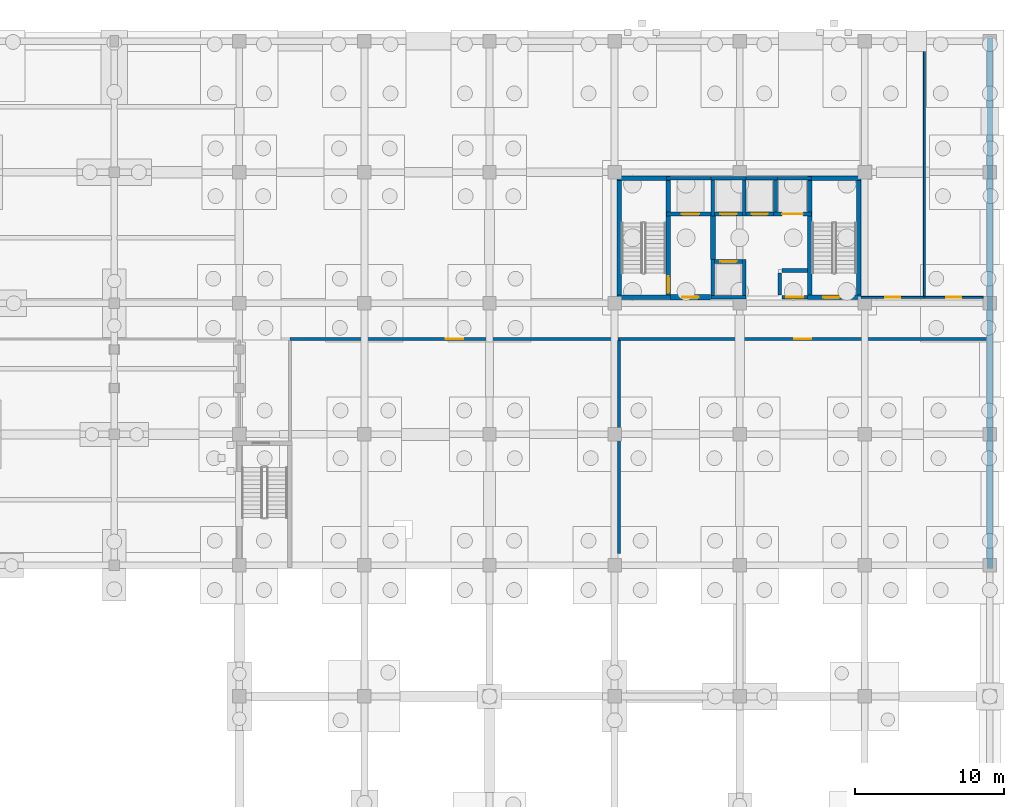
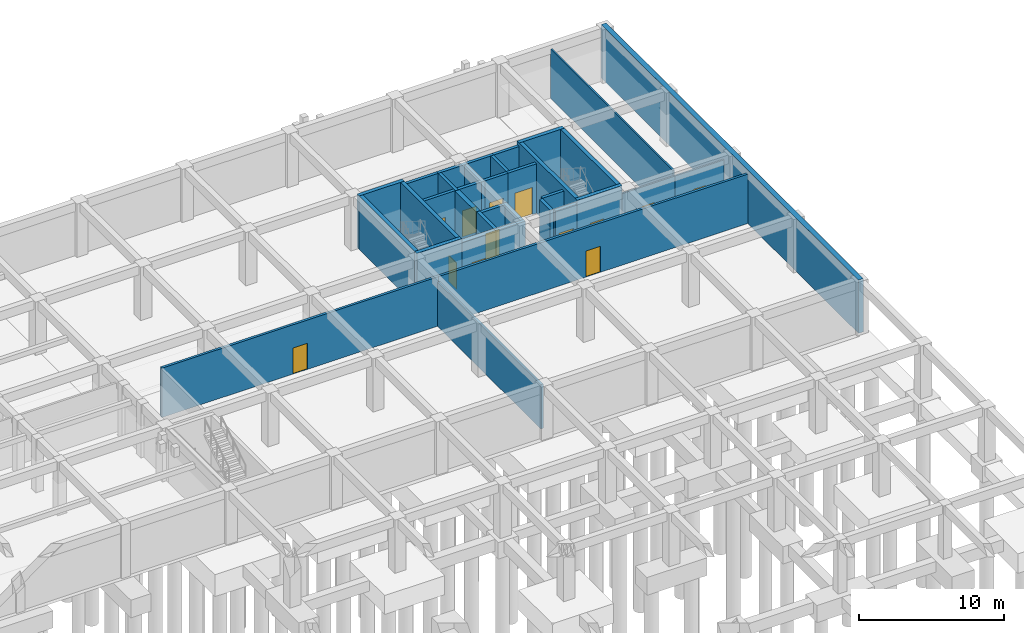
# One storey, part 29 of 41: 35 walls, 13 doors, 13 openings.
"""IFC4 building model written with IfcOpenShell, lengths in metres."""

import ifcopenshell
import ifcopenshell.guid

model = None  # the IFC model being written
_history = None  # IfcOwnerHistory: only IFC2X3 demands one
_inside = {}  # id of a spatial element -> (the spatial element, [elements in it])
_under = {}  # id of a project, library or spatial element -> (it, [spatial elements below it])
_declared = {}  # id of a project -> (the project, [libraries it declares])
_typed = {}  # id of a type object -> (the type object, [elements of that type])
_made_of = {}  # id of a material, layer set ... -> (it, [elements and type objects made of it])


def new_model(schema):
    """Start an empty IFC model of exactly this schema.

    Asked for "IFC4X3", IfcOpenShell would pick the latest addendum, in which some entities
    have other attributes; the version numbers below select the first issue.
    IFC2X3 requires an IfcOwnerHistory on every rooted entity: one is made here for all.
    """
    global model, _history
    if schema == "IFC4X3":
        model = ifcopenshell.file(schema_version=(4, 3, 0, 0))
    else:
        model = ifcopenshell.file(schema=schema)
    _inside.clear()
    _under.clear()
    _declared.clear()
    _typed.clear()
    _made_of.clear()
    _history = None
    if model.schema == "IFC2X3":
        org = make("IfcOrganization", Name="unknown")
        user = make(
            "IfcPersonAndOrganization",
            ThePerson=make("IfcPerson", FamilyName="unknown"),
            TheOrganization=org,
        )
        app = make(
            "IfcApplication",
            ApplicationDeveloper=org,
            Version="unknown",
            ApplicationFullName="unknown",
            ApplicationIdentifier="unknown",
        )
        _history = make(
            "IfcOwnerHistory",
            OwningUser=user,
            OwningApplication=app,
            ChangeAction="ADDED",
            CreationDate=0,
        )
    return model


def make(cls, **values):
    """One entity of the class cls with the attributes given. An attribute that is None is left unset."""
    return model.create_entity(
        cls, **{name: value for name, value in values.items() if value is not None}
    )


def rooted(cls, **values):
    """An entity with a GlobalId (a new one), such as an element, a storey or a relation."""
    return make(cls, GlobalId=ifcopenshell.guid.new(), OwnerHistory=_history, **values)


def si_unit(unit_type, name, prefix=None):
    """IfcSIUnit, for example si_unit("LENGTHUNIT", "METRE", prefix="MILLI")."""
    return make("IfcSIUnit", UnitType=unit_type, Prefix=prefix, Name=name)


def assignment(units):
    """IfcUnitAssignment: the units of a project."""
    return None if units is None else make("IfcUnitAssignment", Units=units)


def point(xyz):
    """IfcCartesianPoint."""
    return None if xyz is None else make("IfcCartesianPoint", Coordinates=xyz)


def direction(xyz):
    """IfcDirection."""
    return None if xyz is None else make("IfcDirection", DirectionRatios=xyz)


def frame(location, z_axis=None, x_axis=None):
    """IfcAxis2Placement3D, a coordinate frame: its origin and axes. An axis left out is left unset."""
    return make(
        "IfcAxis2Placement3D",
        Location=point(location),
        Axis=direction(z_axis),
        RefDirection=direction(x_axis),
    )


def frame_2d(location, x_axis=None):
    """IfcAxis2Placement2D, a coordinate frame in the plane: its origin and x axis."""
    return make(
        "IfcAxis2Placement2D", Location=point(location), RefDirection=direction(x_axis)
    )


def origin():
    """The frame at (0, 0, 0) with its axes left unset."""
    return frame((0.0, 0.0, 0.0))


def place(relative_to, where):
    """IfcLocalPlacement: puts the frame where relative to a parent placement (None: the world)."""
    return make(
        "IfcLocalPlacement", PlacementRelTo=relative_to, RelativePlacement=where
    )


def context(
    kind, dimensions, precision=None, world=None, true_north=None, identifier=None
):
    """IfcGeometricRepresentationContext, for example the 3D "Model" context."""
    return make(
        "IfcGeometricRepresentationContext",
        ContextIdentifier=identifier,
        ContextType=kind,
        CoordinateSpaceDimension=dimensions,
        Precision=precision,
        WorldCoordinateSystem=world,
        TrueNorth=true_north,
    )


def subcontext(parent, identifier, kind, view, scale=None):
    """IfcGeometricRepresentationSubContext, for example "Body" below "Model"."""
    return make(
        "IfcGeometricRepresentationSubContext",
        ContextIdentifier=identifier,
        ContextType=kind,
        ParentContext=parent,
        TargetScale=scale,
        TargetView=view,
    )


def project(units=None, contexts=None):
    """IfcProject with its units and contexts."""
    return rooted(
        "IfcProject",
        Name="project",
        RepresentationContexts=contexts,
        UnitsInContext=assignment(units),
    )


def spatial(cls, under=None, at=None, **own):
    """A site, building, storey or space (cls), placed at a placement, below another one or the project."""
    s = rooted(cls, ObjectPlacement=at, **own)
    if under is not None:
        _under.setdefault(under.id(), (under, []))[1].append(s)
    return s


def profile(cls, at=None, kind="AREA", **sizes):
    """A parametric profile (cls). Its sizes go by their IFC names, for example OverallWidth=200.0."""
    return make(cls, ProfileType=kind, Position=at, **sizes)


def rectangle(**sizes):
    """IfcRectangleProfileDef."""
    return profile("IfcRectangleProfileDef", **sizes)


def extrude(swept, where, along, depth):
    """IfcExtrudedAreaSolid: the profile swept, set in the frame where, extruded along a direction by depth."""
    return make(
        "IfcExtrudedAreaSolid",
        SweptArea=swept,
        Position=where,
        ExtrudedDirection=direction(along),
        Depth=depth,
    )


def shape(context_of_items, identifier, shape_type, items):
    """IfcShapeRepresentation: the items that make up one representation, for example the "Body"."""
    return make(
        "IfcShapeRepresentation",
        ContextOfItems=context_of_items,
        RepresentationIdentifier=identifier,
        RepresentationType=shape_type,
        Items=items,
    )


def material(Name=None, Category=None):
    """IfcMaterial."""
    return make("IfcMaterial", Name=Name, Category=Category)


def layer(
    of_material, thickness, ventilated=None, Name=None, Category=None, Priority=None
):
    """IfcMaterialLayer: one layer of a wall or slab, of a material (None: an air gap)."""
    return make(
        "IfcMaterialLayer",
        Material=of_material,
        LayerThickness=thickness,
        IsVentilated=ventilated,
        Name=Name,
        Category=Category,
        Priority=Priority,
    )


def layer_set(layers, Name=None):
    """IfcMaterialLayerSet."""
    return make("IfcMaterialLayerSet", MaterialLayers=layers, LayerSetName=Name)


def made_of(thing, what):
    """Note that an element or type object is made of a material, layer set ...; save() writes the relation."""
    if what is not None:
        _made_of.setdefault(what.id(), (what, []))[1].append(thing)
    return thing


def type_object(cls, material=None, **own):
    """A type object (cls), such as IfcWallType, which elements share."""
    return made_of(rooted(cls, **own), material)


def element(
    cls,
    number,
    at=None,
    inside=None,
    cuts=None,
    type_object=None,
    material=None,
    context=None,
    identifier="Body",
    shape_type=None,
    held_by="IfcProductDefinitionShape",
    body=None,
    shapes=None,
    **own,
):
    """One element of the class cls, such as IfcWall. Its Tag is "e" and its number.

    at: its placement. inside: the storey or other place that contains it. cuts: it is an
    opening in that element (IfcRelVoidsElement). A single representation is given by context,
    identifier, shape_type and body (its items); several are given by shapes. held_by: the class
    of the entity that holds the representations. save() writes the other relations.
    """
    e = rooted(cls, Tag="e%d" % number, ObjectPlacement=at, **own)
    if body is not None:
        shapes = [shape(context, identifier, shape_type, body)]
    if shapes is not None:
        e.Representation = make(held_by, Representations=shapes)
    if inside is not None:
        _inside.setdefault(inside.id(), (inside, []))[1].append(e)
    if cuts is not None:
        rooted(
            "IfcRelVoidsElement", RelatingBuildingElement=cuts, RelatedOpeningElement=e
        )
    if type_object is not None:
        _typed.setdefault(type_object.id(), (type_object, []))[1].append(e)
    return made_of(e, material)


def fill(opening, filler):
    """IfcRelFillsElement: the door or window that sits in an opening."""
    return rooted(
        "IfcRelFillsElement",
        RelatingOpeningElement=opening,
        RelatedBuildingElement=filler,
    )


def aggregate(whole, parts):
    """IfcRelAggregates: a whole, such as a stair, and the parts it consists of."""
    return rooted("IfcRelAggregates", RelatingObject=whole, RelatedObjects=parts)


def save(model, path):
    """Write the relations noted so far, then the file.

    IfcRelAggregates (storeys below a building ...), IfcRelContainedInSpatialStructure (elements
    in a storey), IfcRelDefinesByType, IfcRelAssociatesMaterial and IfcRelDeclares: one each for
    every whole, place, type object, material and project.
    """
    for whole, parts in _under.values():
        aggregate(whole, parts)
    for where, things in _inside.values():
        rooted(
            "IfcRelContainedInSpatialStructure",
            RelatedElements=things,
            RelatingStructure=where,
        )
    for kind, things in _typed.values():
        rooted("IfcRelDefinesByType", RelatedObjects=things, RelatingType=kind)
    for what, things in _made_of.values():
        rooted("IfcRelAssociatesMaterial", RelatedObjects=things, RelatingMaterial=what)
    for by, libraries in _declared.values():
        rooted("IfcRelDeclares", RelatingContext=by, RelatedDefinitions=libraries)
    model.write(path)


model = new_model("IFC4")

# Units and contexts
model_context = context("Model", 3, precision=1e-05, world=origin(), true_north=direction((0.0, 1.0)))
body_context = subcontext(model_context, "Body", "Model", "MODEL_VIEW")
ifc_project = project(units=[si_unit("LENGTHUNIT", "METRE"), si_unit("AREAUNIT", "SQUARE_METRE"), si_unit("VOLUMEUNIT", "CUBIC_METRE"), si_unit("PLANEANGLEUNIT", "RADIAN"), si_unit("MASSUNIT", "GRAM", prefix="KILO")], contexts=[model_context])

# Site, building, storey
site_placement = place(None, origin())
site = spatial("IfcSite", under=ifc_project, at=site_placement, CompositionType="ELEMENT")
building_placement = place(site_placement, origin())
building = spatial("IfcBuilding", under=site, at=building_placement, Name="Kemercrest Conservatory and Botanical Centre", CompositionType="ELEMENT")
storey_placement = place(building_placement, frame((0.0, 0.0, -4.5)))
storey = spatial("IfcBuildingStorey", under=building, at=storey_placement, Name="B1", CompositionType="ELEMENT", Elevation=-4.5)

# Wall
ifc_material_1 = material(Name="Concrete C50/60", Category="concrete")
ifc_layer_1 = layer(ifc_material_1, 0.35009765625)
ifc_layer_set_1 = layer_set([ifc_layer_1], Name="Concrete C50/60")
wall_type_1 = type_object("IfcWallType", Name="CW-CORE", PredefinedType="SHEAR", material=ifc_layer_set_1)
wall_1_placement = place(storey_placement, frame((157.39990234375, 107.75, 0.0), z_axis=(0.0, 0.0, 1.0), x_axis=(0.0, 1.0, 0.0)))
element("IfcWall", 1, at=wall_1_placement, inside=storey, type_object=wall_type_1, Name="Firefighting lift lobby 2-hour separation shear wall", PredefinedType="SHEAR", context=body_context, shape_type="SweptSolid", body=[
    extrude(rectangle(XDim=2.89990234375, YDim=0.35009765625, at=frame_2d((1.449951171875, 0.0))), origin(), (0.0, 0.0, 1.0), 4.179931640625),
])

# Wall, opening, door
wall_2_placement = place(storey_placement, frame((154.550048828125, 105.199951171875, 0.0), z_axis=(0.0, 0.0, 1.0), x_axis=(1.0, 0.0, 0.0)))
wall_2 = element("IfcWall", 2, at=wall_2_placement, inside=storey, type_object=wall_type_1, Name="Firefighting lift lobby south shear wall", PredefinedType="SHEAR", context=body_context, shape_type="SweptSolid", body=[
    extrude(rectangle(XDim=2.699951171875, YDim=0.35009765625, at=frame_2d((1.35009765625, 0.0))), origin(), (0.0, 0.0, 1.0), 4.179931640625),
])
opening_1_placement = place(wall_2_placement, frame((0.800048828125, 0.0, 0.0)))
opening_1 = element("IfcOpeningElement", 3, at=opening_1_placement, cuts=wall_2, Name="Opening D067", PredefinedType="OPENING", context=body_context, shape_type="SweptSolid", body=[
    extrude(rectangle(XDim=1.10009765625, YDim=2.199951171875, at=frame_2d((0.550048828125, 1.10009765625))), frame((0.0, 0.18505859375, 0.0), z_axis=(0.0, -1.0, 0.0), x_axis=(1.0, 0.0, 0.0)), (0.0, 0.0, 1.0), 0.3701171875),
])
ifc_material_2 = material(Name="Powder-coated galvanized steel and fire-rated vision glass", Category="steel")
door_type_1 = type_object("IfcDoorType", Name="DT-FD90", OperationType="NOTDEFINED", PredefinedType="DOOR", material=ifc_material_2)
door_1_placement = place(opening_1_placement, origin())
door_1 = element("IfcDoor", 4, at=door_1_placement, inside=storey, type_object=door_type_1, Name="Firefighting lift lobby corridor fire door D067", OperationType="SINGLE_SWING_LEFT", OverallHeight=2.199951171875, OverallWidth=1.10009765625, PredefinedType="DOOR", context=body_context, shape_type="SweptSolid", body=[
    extrude(rectangle(XDim=1.10009765625, YDim=2.199951171875, at=frame_2d((0.550048828125, 1.10009765625))), frame((0.0, 0.02490234375, 0.0), z_axis=(0.0, -1.0, 0.0), x_axis=(1.0, 0.0, 0.0)), (0.0, 0.0, 1.0), 0.050048828125),
])
fill(opening_1, door_1)

# Walls
ifc_layer_2 = layer(ifc_material_1, 0.300048828125)
ifc_layer_set_2 = layer_set([ifc_layer_2], Name="Concrete C50/60")
wall_type_2 = type_object("IfcWallType", Name="CW-STAIR", PredefinedType="SHEAR", material=ifc_layer_set_2)
for number, where, z_axis, x_axis, name in (
    (5, (150.949951171875, 105.199951171875, 0.0), (0.0, 0.0, 1.0), (1.0, 0.0, 0.0), "Stair core ST-V4A shear wall S"),
    (6, (150.949951171875, 113.199951171875, 0.0), (0.0, 0.0, 1.0), (1.0, 0.0, 0.0), "Stair core ST-V4A shear wall N"),
):
    element("IfcWall", number, at=place(storey_placement, frame(where, z_axis=z_axis, x_axis=x_axis)), inside=storey, type_object=wall_type_2, Name=name, PredefinedType="SHEAR", context=body_context, shape_type="SweptSolid", body=[
        extrude(rectangle(XDim=3.60009765625, YDim=0.300048828125, at=frame_2d((1.800048828125, 0.0))), origin(), (0.0, 0.0, 1.0), 4.5),
    ])
wall_3_placement = place(storey_placement, frame((151.10009765625, 105.050048828125, 0.0), z_axis=(0.0, 0.0, 1.0), x_axis=(0.0, 1.0, 0.0)))
element("IfcWall", 7, at=wall_3_placement, inside=storey, type_object=wall_type_2, Name="Stair core ST-V4A shear wall W", PredefinedType="SHEAR", context=body_context, shape_type="SweptSolid", body=[
    extrude(rectangle(XDim=8.300048828125, YDim=0.300048828125, at=frame_2d((4.14990234375, 0.0))), origin(), (0.0, 0.0, 1.0), 4.5),
])

# Wall, opening, door
wall_4_placement = place(storey_placement, frame((154.39990234375, 105.050048828125, 0.0), z_axis=(0.0, 0.0, 1.0), x_axis=(0.0, 1.0, 0.0)))
wall_4 = element("IfcWall", 8, at=wall_4_placement, inside=storey, type_object=wall_type_2, Name="Stair core ST-V4A shear wall E", PredefinedType="SHEAR", context=body_context, shape_type="SweptSolid", body=[
    extrude(rectangle(XDim=8.300048828125, YDim=0.300048828125, at=frame_2d((4.14990234375, 0.0))), origin(), (0.0, 0.0, 1.0), 4.5),
])
opening_2_placement = place(wall_4_placement, frame((0.449951171875, 0.0, 0.0)))
opening_2 = element("IfcOpeningElement", 9, at=opening_2_placement, cuts=wall_4, Name="Opening D025", PredefinedType="OPENING", context=body_context, shape_type="SweptSolid", body=[
    extrude(rectangle(XDim=1.10009765625, YDim=2.199951171875, at=frame_2d((0.550048828125, 1.10009765625))), frame((0.0, 0.16015625, 0.0), z_axis=(0.0, -1.0, 0.0), x_axis=(1.0, 0.0, 0.0)), (0.0, 0.0, 1.0), 0.320068359375),
])
door_2_placement = place(opening_2_placement, frame((1.10009765625, 0.0, 0.0), z_axis=(0.0, 0.0, 1.0), x_axis=(-1.0, 0.0, 0.0)))
door_2 = element("IfcDoor", 10, at=door_2_placement, inside=storey, type_object=door_type_1, Name="Exit stair ST-V4A fire door D025", OperationType="SINGLE_SWING_LEFT", OverallHeight=2.199951171875, OverallWidth=1.10009765625, PredefinedType="DOOR", context=body_context, shape_type="SweptSolid", body=[
    extrude(rectangle(XDim=1.10009765625, YDim=2.199951171875, at=frame_2d((0.550048828125, 1.10009765625))), frame((0.0, 0.02490234375, 0.0), z_axis=(0.0, -1.0, 0.0), x_axis=(1.0, 0.0, 0.0)), (0.0, 0.0, 1.0), 0.050048828125),
])
fill(opening_2, door_2)

wall_5_placement = place(storey_placement, frame((163.75, 105.199951171875, 0.0), z_axis=(0.0, 0.0, 1.0), x_axis=(1.0, 0.0, 0.0)))
wall_5 = element("IfcWall", 11, at=wall_5_placement, inside=storey, type_object=wall_type_2, Name="Stair core ST-V4B shear wall S", PredefinedType="SHEAR", context=body_context, shape_type="SweptSolid", body=[
    extrude(rectangle(XDim=3.60009765625, YDim=0.300048828125, at=frame_2d((1.800048828125, 0.0))), origin(), (0.0, 0.0, 1.0), 4.5),
])
opening_3_placement = place(wall_5_placement, frame((1.050048828125, 0.0, 0.0)))
opening_3 = element("IfcOpeningElement", 12, at=opening_3_placement, cuts=wall_5, Name="Opening D044", PredefinedType="OPENING", context=body_context, shape_type="SweptSolid", body=[
    extrude(rectangle(XDim=1.10009765625, YDim=2.199951171875, at=frame_2d((0.550048828125, 1.10009765625))), frame((0.0, 0.16015625, 0.0), z_axis=(0.0, -1.0, 0.0), x_axis=(1.0, 0.0, 0.0)), (0.0, 0.0, 1.0), 0.320068359375),
])
door_3_placement = place(opening_3_placement, origin())
door_3 = element("IfcDoor", 13, at=door_3_placement, inside=storey, type_object=door_type_1, Name="Exit stair ST-V4B fire door D044", OperationType="SINGLE_SWING_RIGHT", OverallHeight=2.199951171875, OverallWidth=1.10009765625, PredefinedType="DOOR", context=body_context, shape_type="SweptSolid", body=[
    extrude(rectangle(XDim=1.10009765625, YDim=2.199951171875, at=frame_2d((0.550048828125, 1.10009765625))), frame((0.0, 0.02490234375, 0.0), z_axis=(0.0, -1.0, 0.0), x_axis=(1.0, 0.0, 0.0)), (0.0, 0.0, 1.0), 0.050048828125),
])
fill(opening_3, door_3)

# Walls
wall_6_placement = place(storey_placement, frame((163.75, 113.199951171875, 0.0), z_axis=(0.0, 0.0, 1.0), x_axis=(1.0, 0.0, 0.0)))
element("IfcWall", 14, at=wall_6_placement, inside=storey, type_object=wall_type_2, Name="Stair core ST-V4B shear wall N", PredefinedType="SHEAR", context=body_context, shape_type="SweptSolid", body=[
    extrude(rectangle(XDim=3.60009765625, YDim=0.300048828125, at=frame_2d((1.800048828125, 0.0))), origin(), (0.0, 0.0, 1.0), 4.5),
])
for number, where, z_axis, x_axis, name in (
    (15, (163.89990234375, 105.050048828125, 0.0), (0.0, 0.0, 1.0), (0.0, 1.0, 0.0), "Stair core ST-V4B shear wall W"),
    (16, (167.199951171875, 105.050048828125, 0.0), (0.0, 0.0, 1.0), (0.0, 1.0, 0.0), "Stair core ST-V4B shear wall E"),
):
    element("IfcWall", number, at=place(storey_placement, frame(where, z_axis=z_axis, x_axis=x_axis)), inside=storey, type_object=wall_type_2, Name=name, PredefinedType="SHEAR", context=body_context, shape_type="SweptSolid", body=[
        extrude(rectangle(XDim=8.300048828125, YDim=0.300048828125, at=frame_2d((4.14990234375, 0.0))), origin(), (0.0, 0.0, 1.0), 4.5),
    ])

# Wall, opening, door
ifc_material_3 = material(Name="Concrete C40/50", Category="concrete")
ifc_layer_3 = layer(ifc_material_3, 0.199951171875)
ifc_layer_set_3 = layer_set([ifc_layer_3], Name="Concrete C40/50")
wall_type_3 = type_object("IfcWallType", Name="W-FIRE", PredefinedType="PARTITIONING", material=ifc_layer_set_3)
wall_7_placement = place(storey_placement, frame((129.0, 102.39990234375, 0.0), z_axis=(0.0, 0.0, 1.0), x_axis=(1.0, 0.0, 0.0)))
wall_7 = element("IfcWall", 17, at=wall_7_placement, inside=storey, type_object=wall_type_3, Name="Interior partition W-FIRE #6", PredefinedType="PARTITIONING", context=body_context, shape_type="SweptSolid", body=[
    extrude(rectangle(XDim=22.10009765625, YDim=0.199951171875, at=frame_2d((11.050048828125, 0.0))), origin(), (0.0, 0.0, 1.0), 4.1650390625),
])
opening_4_placement = place(wall_7_placement, frame((10.47509765625, 0.0, 0.0)))
opening_4 = element("IfcOpeningElement", 18, at=opening_4_placement, cuts=wall_7, Name="Opening D110", PredefinedType="OPENING", context=body_context, shape_type="SweptSolid", body=[
    extrude(rectangle(XDim=1.14990234375, YDim=2.199951171875, at=frame_2d((0.574951171875, 1.10009765625))), frame((0.0, 0.10986328125, 0.0), z_axis=(0.0, -1.0, 0.0), x_axis=(1.0, 0.0, 0.0)), (0.0, 0.0, 1.0), 0.219970703125),
])
door_type_2 = type_object("IfcDoorType", Name="DT-FD60", OperationType="NOTDEFINED", PredefinedType="DOOR", material=ifc_material_2)
door_4_placement = place(opening_4_placement, origin())
door_4 = element("IfcDoor", 19, at=door_4_placement, inside=storey, type_object=door_type_2, Name="Standby Diesel Generator and Switchgear Plant door D110", OperationType="SINGLE_SWING_RIGHT", OverallHeight=2.199951171875, OverallWidth=1.14990234375, PredefinedType="DOOR", context=body_context, shape_type="SweptSolid", body=[
    extrude(rectangle(XDim=1.14990234375, YDim=2.199951171875, at=frame_2d((0.574951171875, 1.10009765625))), frame((0.0, 0.02490234375, 0.0), z_axis=(0.0, -1.0, 0.0), x_axis=(1.0, 0.0, 0.0)), (0.0, 0.0, 1.0), 0.050048828125),
])
fill(opening_4, door_4)

wall_8_placement = place(storey_placement, frame((151.10009765625, 102.39990234375, 0.0), z_axis=(0.0, 0.0, 1.0), x_axis=(1.0, 0.0, 0.0)))
wall_8 = element("IfcWall", 20, at=wall_8_placement, inside=storey, type_object=wall_type_3, Name="Interior partition W-FIRE #7", PredefinedType="PARTITIONING", context=body_context, shape_type="SweptSolid", body=[
    extrude(rectangle(XDim=24.69482421875, YDim=0.199951171875, at=frame_2d((12.347412109375, 0.0))), origin(), (0.0, 0.0, 1.0), 4.1650390625),
])
opening_5_placement = place(wall_8_placement, frame((11.7724609375, 0.0, 0.0)))
opening_5 = element("IfcOpeningElement", 21, at=opening_5_placement, cuts=wall_8, Name="Opening D111", PredefinedType="OPENING", context=body_context, shape_type="SweptSolid", body=[
    extrude(rectangle(XDim=1.14990234375, YDim=2.199951171875, at=frame_2d((0.574951171875, 1.10009765625))), frame((0.0, 0.10986328125, 0.0), z_axis=(0.0, -1.0, 0.0), x_axis=(1.0, 0.0, 0.0)), (0.0, 0.0, 1.0), 0.219970703125),
])
door_5_placement = place(opening_5_placement, origin())
door_5 = element("IfcDoor", 22, at=door_5_placement, inside=storey, type_object=door_type_2, Name="Fire Reserve Tank and Pump Room door D111", OperationType="SINGLE_SWING_LEFT", OverallHeight=2.199951171875, OverallWidth=1.14990234375, PredefinedType="DOOR", context=body_context, shape_type="SweptSolid", body=[
    extrude(rectangle(XDim=1.14990234375, YDim=2.199951171875, at=frame_2d((0.574951171875, 1.10009765625))), frame((0.0, 0.02490234375, 0.0), z_axis=(0.0, -1.0, 0.0), x_axis=(1.0, 0.0, 0.0)), (0.0, 0.0, 1.0), 0.050048828125),
])
fill(opening_5, door_5)

# Wall
wall_9_placement = place(storey_placement, frame((151.10009765625, 88.0, 0.0), z_axis=(0.0, 0.0, 1.0), x_axis=(0.0, 1.0, 0.0)))
element("IfcWall", 23, at=wall_9_placement, inside=storey, type_object=wall_type_3, Name="Interior partition W-FIRE #14", PredefinedType="PARTITIONING", context=body_context, shape_type="SweptSolid", body=[
    extrude(rectangle(XDim=14.294921875, YDim=0.199951171875, at=frame_2d((7.1474609375, 0.0))), origin(), (0.0, 0.0, 1.0), 3.7451171875),
])

# Wall, opening, door
ifc_material_4 = material(Name="Moisture-resistant gypsum board partition", Category="gypsum")
ifc_layer_4 = layer(ifc_material_4, 0.125)
ifc_layer_set_4 = layer_set([ifc_layer_4], Name="Moisture-resistant gypsum board partition")
wall_type_4 = type_object("IfcWallType", Name="W-PART125", PredefinedType="PARTITIONING", material=ifc_layer_set_4)
wall_10_placement = place(storey_placement, frame((167.35498046875, 105.199951171875, 0.0), z_axis=(0.0, 0.0, 1.0), x_axis=(1.0, 0.0, 0.0)))
wall_10 = element("IfcWall", 24, at=wall_10_placement, inside=storey, type_object=wall_type_4, Name="Interior partition W-PART125 #8", PredefinedType="PARTITIONING", context=body_context, shape_type="SweptSolid", body=[
    extrude(rectangle(XDim=4.2451171875, YDim=0.125, at=frame_2d((2.12255859375, 0.0))), origin(), (0.0, 0.0, 1.0), 3.7451171875),
])
opening_6_placement = place(wall_10_placement, frame((1.632568359375, 0.0, 0.0)))
opening_6 = element("IfcOpeningElement", 25, at=opening_6_placement, cuts=wall_10, Name="Opening D112", PredefinedType="OPENING", context=body_context, shape_type="SweptSolid", body=[
    extrude(rectangle(XDim=0.97998046875, YDim=2.10009765625, at=frame_2d((0.489990234375, 1.050048828125))), frame((0.0, 0.072509765625, 0.0), z_axis=(0.0, -1.0, 0.0), x_axis=(1.0, 0.0, 0.0)), (0.0, 0.0, 1.0), 0.14501953125),
])
ifc_material_5 = material(Name="FSC solid-core white oak veneer and anodized aluminium frame", Category="aluminium")
door_type_3 = type_object("IfcDoorType", Name="DT-02", OperationType="NOTDEFINED", PredefinedType="DOOR", material=ifc_material_5)
door_6_placement = place(opening_6_placement, origin())
door_6 = element("IfcDoor", 26, at=door_6_placement, inside=storey, type_object=door_type_3, Name="Basement Staff Washroom door D112", OperationType="SINGLE_SWING_RIGHT", OverallHeight=2.10009765625, OverallWidth=0.97998046875, PredefinedType="DOOR", context=body_context, shape_type="SweptSolid", body=[
    extrude(rectangle(XDim=0.97998046875, YDim=2.10009765625, at=frame_2d((0.489990234375, 1.050048828125))), frame((0.0, 0.02490234375, 0.0), z_axis=(0.0, -1.0, 0.0), x_axis=(1.0, 0.0, 0.0)), (0.0, 0.0, 1.0), 0.050048828125),
])
fill(opening_6, door_6)

wall_11_placement = place(storey_placement, frame((171.60009765625, 105.199951171875, 0.0), z_axis=(0.0, 0.0, 1.0), x_axis=(1.0, 0.0, 0.0)))
wall_11 = element("IfcWall", 27, at=wall_11_placement, inside=storey, type_object=wall_type_4, Name="Interior partition W-PART125 #9", PredefinedType="PARTITIONING", context=body_context, shape_type="SweptSolid", body=[
    extrude(rectangle(XDim=3.949951171875, YDim=0.125, at=frame_2d((1.97509765625, 0.0))), origin(), (0.0, 0.0, 1.0), 3.7451171875),
])
opening_7_placement = place(wall_11_placement, frame((1.485107421875, 0.0, 0.0)))
opening_7 = element("IfcOpeningElement", 28, at=opening_7_placement, cuts=wall_11, Name="Opening D113", PredefinedType="OPENING", context=body_context, shape_type="SweptSolid", body=[
    extrude(rectangle(XDim=0.97998046875, YDim=2.10009765625, at=frame_2d((0.489990234375, 1.050048828125))), frame((0.0, 0.072509765625, 0.0), z_axis=(0.0, -1.0, 0.0), x_axis=(1.0, 0.0, 0.0)), (0.0, 0.0, 1.0), 0.14501953125),
])
door_7_placement = place(opening_7_placement, origin())
door_7 = element("IfcDoor", 29, at=door_7_placement, inside=storey, type_object=door_type_3, Name="Basement Accessible Washroom door D113", OperationType="SINGLE_SWING_LEFT", OverallHeight=2.10009765625, OverallWidth=0.97998046875, PredefinedType="DOOR", context=body_context, shape_type="SweptSolid", body=[
    extrude(rectangle(XDim=0.97998046875, YDim=2.10009765625, at=frame_2d((0.489990234375, 1.050048828125))), frame((0.0, 0.02490234375, 0.0), z_axis=(0.0, -1.0, 0.0), x_axis=(1.0, 0.0, 0.0)), (0.0, 0.0, 1.0), 0.050048828125),
])
fill(opening_7, door_7)

# Walls
wall_12_placement = place(storey_placement, frame((171.60009765625, 105.267578125, 0.0), z_axis=(0.0, 0.0, 1.0), x_axis=(0.0, 1.0, 0.0)))
element("IfcWall", 30, at=wall_12_placement, inside=storey, type_object=wall_type_4, Name="Interior partition W-PART125 #15", PredefinedType="PARTITIONING", context=body_context, shape_type="SweptSolid", body=[
    extrude(rectangle(XDim=16.927490234375, YDim=0.125, at=frame_2d((8.4638671875, 0.0))), origin(), (0.0, 0.0, 1.0), 4.1650390625),
])
ifc_layer_5 = layer(ifc_material_3, 0.39990234375)
ifc_layer_set_5 = layer_set([ifc_layer_5], Name="Concrete C40/50")
wall_type_5 = type_object("IfcWallType", Name="W-RET400", PredefinedType="USERDEFINED", material=ifc_layer_set_5)
wall_13_placement = place(storey_placement, frame((176.0, 87.0, 0.0), z_axis=(0.0, 0.0, 1.0), x_axis=(0.0, 1.0, 0.0)))
element("IfcWall", 31, at=wall_13_placement, inside=storey, type_object=wall_type_5, Name="Basement perimeter retaining wall #12", ObjectType="RETAINING WALL", PredefinedType="USERDEFINED", context=body_context, shape_type="SweptSolid", body=[
    extrude(rectangle(XDim=35.60009765625, YDim=0.39990234375, at=frame_2d((17.800048828125, 0.0))), origin(), (0.0, 0.0, 1.0), 4.5),
])

# Wall, opening, door
ifc_layer_6 = layer(ifc_material_3, 0.25)
ifc_layer_set_6 = layer_set([ifc_layer_6], Name="Concrete C40/50")
wall_type_6 = type_object("IfcWallType", Name="W-SHFT250", PredefinedType="SOLIDWALL", material=ifc_layer_set_6)
wall_14_placement = place(storey_placement, frame((154.27490234375, 110.800048828125, 0.0), z_axis=(0.0, 0.0, 1.0), x_axis=(1.0, 0.0, 0.0)))
wall_14 = element("IfcWall", 32, at=wall_14_placement, inside=storey, type_object=wall_type_6, Name="Elevator LF-FF1 shaft wall south", PredefinedType="SOLIDWALL", context=body_context, shape_type="SweptSolid", body=[
    extrude(rectangle(XDim=3.25, YDim=0.25, at=frame_2d((1.625, 0.0))), origin(), (0.0, 0.0, 1.0), 4.179931640625),
])
opening_8_placement = place(wall_14_placement, frame((1.02490234375, 0.0, 0.0)))
opening_8 = element("IfcOpeningElement", 33, at=opening_8_placement, cuts=wall_14, Name="Opening LD-001", PredefinedType="OPENING", context=body_context, shape_type="SweptSolid", body=[
    extrude(rectangle(XDim=1.199951171875, YDim=2.199951171875, at=frame_2d((0.60009765625, 1.10009765625))), frame((0.0, 0.135009765625, 0.0), z_axis=(0.0, -1.0, 0.0), x_axis=(1.0, 0.0, 0.0)), (0.0, 0.0, 1.0), 0.27001953125),
])
door_type_4 = type_object("IfcDoorType", Name="DT-LD02", OperationType="SLIDING_TO_LEFT", PredefinedType="DOOR", material=ifc_material_2)
door_8_placement = place(opening_8_placement, origin())
door_8 = element("IfcDoor", 34, at=door_8_placement, inside=storey, type_object=door_type_4, Name="Elevator LF-FF1 sliding landing door LD-001", OperationType="SLIDING_TO_LEFT", OverallHeight=2.199951171875, OverallWidth=1.199951171875, PredefinedType="DOOR", context=body_context, shape_type="SweptSolid", body=[
    extrude(rectangle(XDim=1.199951171875, YDim=2.199951171875, at=frame_2d((0.60009765625, 1.10009765625))), frame((0.0, 0.02490234375, 0.0), z_axis=(0.0, -1.0, 0.0), x_axis=(1.0, 0.0, 0.0)), (0.0, 0.0, 1.0), 0.050048828125),
])
fill(opening_8, door_8)

# Walls
wall_15_placement = place(storey_placement, frame((154.27490234375, 113.199951171875, 0.0), z_axis=(0.0, 0.0, 1.0), x_axis=(1.0, 0.0, 0.0)))
element("IfcWall", 35, at=wall_15_placement, inside=storey, type_object=wall_type_6, Name="Elevator LF-FF1 shaft wall north", PredefinedType="SOLIDWALL", context=body_context, shape_type="SweptSolid", body=[
    extrude(rectangle(XDim=3.25, YDim=0.25, at=frame_2d((1.625, 0.0))), origin(), (0.0, 0.0, 1.0), 4.179931640625),
])
wall_16_placement = place(storey_placement, frame((157.39990234375, 110.675048828125, 0.0), z_axis=(0.0, 0.0, 1.0), x_axis=(0.0, 1.0, 0.0)))
element("IfcWall", 36, at=wall_16_placement, inside=storey, type_object=wall_type_6, Name="Elevator LF-FF1 shaft wall east", PredefinedType="SOLIDWALL", context=body_context, shape_type="SweptSolid", body=[
    extrude(rectangle(XDim=2.64990234375, YDim=0.25, at=frame_2d((1.324951171875, 0.0))), origin(), (0.0, 0.0, 1.0), 4.179931640625),
])

# Wall, opening, door
wall_17_placement = place(storey_placement, frame((157.27490234375, 110.800048828125, 0.0), z_axis=(0.0, 0.0, 1.0), x_axis=(1.0, 0.0, 0.0)))
wall_17 = element("IfcWall", 37, at=wall_17_placement, inside=storey, type_object=wall_type_6, Name="Elevator LF-P1 shaft wall south", PredefinedType="SOLIDWALL", context=body_context, shape_type="SweptSolid", body=[
    extrude(rectangle(XDim=2.35009765625, YDim=0.25, at=frame_2d((1.175048828125, 0.0))), origin(), (0.0, 0.0, 1.0), 4.179931640625),
])
opening_9_placement = place(wall_17_placement, frame((0.625, 0.0, 0.0)))
opening_9 = element("IfcOpeningElement", 38, at=opening_9_placement, cuts=wall_17, Name="Opening LD-020", PredefinedType="OPENING", context=body_context, shape_type="SweptSolid", body=[
    extrude(rectangle(XDim=1.10009765625, YDim=2.199951171875, at=frame_2d((0.550048828125, 1.10009765625))), frame((0.0, 0.135009765625, 0.0), z_axis=(0.0, -1.0, 0.0), x_axis=(1.0, 0.0, 0.0)), (0.0, 0.0, 1.0), 0.27001953125),
])
door_type_5 = type_object("IfcDoorType", Name="DT-LD01", OperationType="SLIDING_TO_LEFT", PredefinedType="DOOR", material=ifc_material_2)
door_9_placement = place(opening_9_placement, origin())
door_9 = element("IfcDoor", 39, at=door_9_placement, inside=storey, type_object=door_type_5, Name="Elevator LF-P1 sliding landing door LD-020", OperationType="SLIDING_TO_LEFT", OverallHeight=2.199951171875, OverallWidth=1.10009765625, PredefinedType="DOOR", context=body_context, shape_type="SweptSolid", body=[
    extrude(rectangle(XDim=1.10009765625, YDim=2.199951171875, at=frame_2d((0.550048828125, 1.10009765625))), frame((0.0, 0.02490234375, 0.0), z_axis=(0.0, -1.0, 0.0), x_axis=(1.0, 0.0, 0.0)), (0.0, 0.0, 1.0), 0.050048828125),
])
fill(opening_9, door_9)

# Walls
wall_18_placement = place(storey_placement, frame((157.27490234375, 113.199951171875, 0.0), z_axis=(0.0, 0.0, 1.0), x_axis=(1.0, 0.0, 0.0)))
element("IfcWall", 40, at=wall_18_placement, inside=storey, type_object=wall_type_6, Name="Elevator LF-P1 shaft wall north", PredefinedType="SOLIDWALL", context=body_context, shape_type="SweptSolid", body=[
    extrude(rectangle(XDim=2.35009765625, YDim=0.25, at=frame_2d((1.175048828125, 0.0))), origin(), (0.0, 0.0, 1.0), 4.179931640625),
])
wall_19_placement = place(storey_placement, frame((159.5, 110.675048828125, 0.0), z_axis=(0.0, 0.0, 1.0), x_axis=(0.0, 1.0, 0.0)))
element("IfcWall", 41, at=wall_19_placement, inside=storey, type_object=wall_type_6, Name="Elevator LF-P1 shaft wall east", PredefinedType="SOLIDWALL", context=body_context, shape_type="SweptSolid", body=[
    extrude(rectangle(XDim=2.64990234375, YDim=0.25, at=frame_2d((1.324951171875, 0.0))), origin(), (0.0, 0.0, 1.0), 4.179931640625),
])

# Wall, opening, door
wall_20_placement = place(storey_placement, frame((159.375, 110.800048828125, 0.0), z_axis=(0.0, 0.0, 1.0), x_axis=(1.0, 0.0, 0.0)))
wall_20 = element("IfcWall", 42, at=wall_20_placement, inside=storey, type_object=wall_type_6, Name="Elevator LF-P2 shaft wall south", PredefinedType="SOLIDWALL", context=body_context, shape_type="SweptSolid", body=[
    extrude(rectangle(XDim=2.35009765625, YDim=0.25, at=frame_2d((1.175048828125, 0.0))), origin(), (0.0, 0.0, 1.0), 4.179931640625),
])
opening_10_placement = place(wall_20_placement, frame((0.625, 0.0, 0.0)))
opening_10 = element("IfcOpeningElement", 43, at=opening_10_placement, cuts=wall_20, Name="Opening LD-039", PredefinedType="OPENING", context=body_context, shape_type="SweptSolid", body=[
    extrude(rectangle(XDim=1.10009765625, YDim=2.199951171875, at=frame_2d((0.550048828125, 1.10009765625))), frame((0.0, 0.135009765625, 0.0), z_axis=(0.0, -1.0, 0.0), x_axis=(1.0, 0.0, 0.0)), (0.0, 0.0, 1.0), 0.27001953125),
])
door_10_placement = place(opening_10_placement, origin())
door_10 = element("IfcDoor", 44, at=door_10_placement, inside=storey, type_object=door_type_5, Name="Elevator LF-P2 sliding landing door LD-039", OperationType="SLIDING_TO_LEFT", OverallHeight=2.199951171875, OverallWidth=1.10009765625, PredefinedType="DOOR", context=body_context, shape_type="SweptSolid", body=[
    extrude(rectangle(XDim=1.10009765625, YDim=2.199951171875, at=frame_2d((0.550048828125, 1.10009765625))), frame((0.0, 0.02490234375, 0.0), z_axis=(0.0, -1.0, 0.0), x_axis=(1.0, 0.0, 0.0)), (0.0, 0.0, 1.0), 0.050048828125),
])
fill(opening_10, door_10)

# Walls
wall_21_placement = place(storey_placement, frame((159.375, 113.199951171875, 0.0), z_axis=(0.0, 0.0, 1.0), x_axis=(1.0, 0.0, 0.0)))
element("IfcWall", 45, at=wall_21_placement, inside=storey, type_object=wall_type_6, Name="Elevator LF-P2 shaft wall north", PredefinedType="SOLIDWALL", context=body_context, shape_type="SweptSolid", body=[
    extrude(rectangle(XDim=2.35009765625, YDim=0.25, at=frame_2d((1.175048828125, 0.0))), origin(), (0.0, 0.0, 1.0), 4.179931640625),
])
wall_22_placement = place(storey_placement, frame((161.60009765625, 110.675048828125, 0.0), z_axis=(0.0, 0.0, 1.0), x_axis=(0.0, 1.0, 0.0)))
element("IfcWall", 46, at=wall_22_placement, inside=storey, type_object=wall_type_6, Name="Elevator LF-P2 shaft wall east", PredefinedType="SOLIDWALL", context=body_context, shape_type="SweptSolid", body=[
    extrude(rectangle(XDim=2.64990234375, YDim=0.25, at=frame_2d((1.324951171875, 0.0))), origin(), (0.0, 0.0, 1.0), 4.179931640625),
])
wall_23_placement = place(storey_placement, frame((157.27490234375, 105.199951171875, 0.0), z_axis=(0.0, 0.0, 1.0), x_axis=(1.0, 0.0, 0.0)))
element("IfcWall", 47, at=wall_23_placement, inside=storey, type_object=wall_type_6, Name="Elevator LF-P3 shaft wall south", PredefinedType="SOLIDWALL", context=body_context, shape_type="SweptSolid", body=[
    extrude(rectangle(XDim=2.35009765625, YDim=0.25, at=frame_2d((1.175048828125, 0.0))), origin(), (0.0, 0.0, 1.0), 4.179931640625),
])

# Wall, opening, door
wall_24_placement = place(storey_placement, frame((157.27490234375, 107.60009765625, 0.0), z_axis=(0.0, 0.0, 1.0), x_axis=(1.0, 0.0, 0.0)))
wall_24 = element("IfcWall", 48, at=wall_24_placement, inside=storey, type_object=wall_type_6, Name="Elevator LF-P3 shaft wall north", PredefinedType="SOLIDWALL", context=body_context, shape_type="SweptSolid", body=[
    extrude(rectangle(XDim=2.35009765625, YDim=0.25, at=frame_2d((1.175048828125, 0.0))), origin(), (0.0, 0.0, 1.0), 4.179931640625),
])
opening_11_placement = place(wall_24_placement, frame((0.625, 0.0, 0.0)))
opening_11 = element("IfcOpeningElement", 49, at=opening_11_placement, cuts=wall_24, Name="Opening LD-057", PredefinedType="OPENING", context=body_context, shape_type="SweptSolid", body=[
    extrude(rectangle(XDim=1.10009765625, YDim=2.199951171875, at=frame_2d((0.550048828125, 1.10009765625))), frame((0.0, 0.135009765625, 0.0), z_axis=(0.0, -1.0, 0.0), x_axis=(1.0, 0.0, 0.0)), (0.0, 0.0, 1.0), 0.27001953125),
])
door_11_placement = place(opening_11_placement, origin())
door_11 = element("IfcDoor", 50, at=door_11_placement, inside=storey, type_object=door_type_5, Name="Elevator LF-P3 sliding landing door LD-057", OperationType="SLIDING_TO_LEFT", OverallHeight=2.199951171875, OverallWidth=1.10009765625, PredefinedType="DOOR", context=body_context, shape_type="SweptSolid", body=[
    extrude(rectangle(XDim=1.10009765625, YDim=2.199951171875, at=frame_2d((0.550048828125, 1.10009765625))), frame((0.0, 0.02490234375, 0.0), z_axis=(0.0, -1.0, 0.0), x_axis=(1.0, 0.0, 0.0)), (0.0, 0.0, 1.0), 0.050048828125),
])
fill(opening_11, door_11)

# Walls
for number, where, z_axis, x_axis, name in (
    (51, (157.39990234375, 105.074951171875, 0.0), (0.0, 0.0, 1.0), (0.0, 1.0, 0.0), "Elevator LF-P3 shaft wall west"),
    (52, (159.5, 105.074951171875, 0.0), (0.0, 0.0, 1.0), (0.0, 1.0, 0.0), "Elevator LF-P3 shaft wall east"),
):
    element("IfcWall", number, at=place(storey_placement, frame(where, z_axis=z_axis, x_axis=x_axis)), inside=storey, type_object=wall_type_6, Name=name, PredefinedType="SOLIDWALL", context=body_context, shape_type="SweptSolid", body=[
        extrude(rectangle(XDim=2.650146484375, YDim=0.25, at=frame_2d((1.3251953125, 0.0))), origin(), (0.0, 0.0, 1.0), 4.179931640625),
    ])

# Wall, opening, door
wall_25_placement = place(storey_placement, frame((161.47509765625, 110.800048828125, 0.0), z_axis=(0.0, 0.0, 1.0), x_axis=(1.0, 0.0, 0.0)))
wall_25 = element("IfcWall", 53, at=wall_25_placement, inside=storey, type_object=wall_type_6, Name="Elevator LF-G1 shaft wall south", PredefinedType="SOLIDWALL", context=body_context, shape_type="SweptSolid", body=[
    extrude(rectangle(XDim=2.5498046875, YDim=0.25, at=frame_2d((1.27490234375, 0.0))), origin(), (0.0, 0.0, 1.0), 4.179931640625),
])
opening_12_placement = place(wall_25_placement, frame((0.574951171875, 0.0, 0.0)))
opening_12 = element("IfcOpeningElement", 54, at=opening_12_placement, cuts=wall_25, Name="Opening LD-075", PredefinedType="OPENING", context=body_context, shape_type="SweptSolid", body=[
    extrude(rectangle(XDim=1.39990234375, YDim=2.300048828125, at=frame_2d((0.699951171875, 1.14990234375))), frame((0.0, 0.135009765625, 0.0), z_axis=(0.0, -1.0, 0.0), x_axis=(1.0, 0.0, 0.0)), (0.0, 0.0, 1.0), 0.27001953125),
])
door_type_6 = type_object("IfcDoorType", Name="DT-LD03", OperationType="SLIDING_TO_LEFT", PredefinedType="DOOR", material=ifc_material_2)
door_12_placement = place(opening_12_placement, origin())
door_12 = element("IfcDoor", 55, at=door_12_placement, inside=storey, type_object=door_type_6, Name="Elevator LF-G1 sliding landing door LD-075", OperationType="SLIDING_TO_LEFT", OverallHeight=2.300048828125, OverallWidth=1.39990234375, PredefinedType="DOOR", context=body_context, shape_type="SweptSolid", body=[
    extrude(rectangle(XDim=1.39990234375, YDim=2.300048828125, at=frame_2d((0.699951171875, 1.14990234375))), frame((0.0, 0.02490234375, 0.0), z_axis=(0.0, -1.0, 0.0), x_axis=(1.0, 0.0, 0.0)), (0.0, 0.0, 1.0), 0.050048828125),
])
fill(opening_12, door_12)

# Walls
wall_26_placement = place(storey_placement, frame((161.47509765625, 113.199951171875, 0.0), z_axis=(0.0, 0.0, 1.0), x_axis=(1.0, 0.0, 0.0)))
element("IfcWall", 56, at=wall_26_placement, inside=storey, type_object=wall_type_6, Name="Elevator LF-G1 shaft wall north", PredefinedType="SOLIDWALL", context=body_context, shape_type="SweptSolid", body=[
    extrude(rectangle(XDim=2.5498046875, YDim=0.25, at=frame_2d((1.27490234375, 0.0))), origin(), (0.0, 0.0, 1.0), 4.179931640625),
])
wall_27_placement = place(storey_placement, frame((161.89990234375, 105.35009765625, 0.0), z_axis=(0.0, 0.0, 1.0), x_axis=(0.0, 1.0, 0.0)))
element("IfcWall", 57, at=wall_27_placement, inside=storey, type_object=wall_type_6, Name="Core service riser shaft wall W", PredefinedType="SOLIDWALL", context=body_context, shape_type="SweptSolid", body=[
    extrude(rectangle(XDim=1.5, YDim=0.25, at=frame_2d((0.75, 0.0))), origin(), (0.0, 0.0, 1.0), 4.179931640625),
])
wall_28_placement = place(storey_placement, frame((162.050048828125, 107.0, 0.0), z_axis=(0.0, 0.0, 1.0), x_axis=(1.0, 0.0, 0.0)))
element("IfcWall", 58, at=wall_28_placement, inside=storey, type_object=wall_type_6, Name="Core service riser shaft wall N", PredefinedType="SOLIDWALL", context=body_context, shape_type="SweptSolid", body=[
    extrude(rectangle(XDim=1.699951171875, YDim=0.25, at=frame_2d((0.85009765625, 0.0))), origin(), (0.0, 0.0, 1.0), 4.179931640625),
])

# Wall, opening, door
wall_29_placement = place(storey_placement, frame((162.050048828125, 105.199951171875, 0.0), z_axis=(0.0, 0.0, 1.0), x_axis=(1.0, 0.0, 0.0)))
wall_29 = element("IfcWall", 59, at=wall_29_placement, inside=storey, type_object=wall_type_6, Name="Core service riser shaft wall S", PredefinedType="SOLIDWALL", context=body_context, shape_type="SweptSolid", body=[
    extrude(rectangle(XDim=1.699951171875, YDim=0.25, at=frame_2d((0.85009765625, 0.0))), origin(), (0.0, 0.0, 1.0), 4.179931640625),
])
opening_13_placement = place(wall_29_placement, frame((0.27001953125, 0.0, 0.0)))
opening_13 = element("IfcOpeningElement", 60, at=opening_13_placement, cuts=wall_29, Name="Opening D068", PredefinedType="OPENING", context=body_context, shape_type="SweptSolid", body=[
    extrude(rectangle(XDim=1.14990234375, YDim=2.199951171875, at=frame_2d((0.574951171875, 1.10009765625))), frame((0.0, 0.135009765625, 0.0), z_axis=(0.0, -1.0, 0.0), x_axis=(1.0, 0.0, 0.0)), (0.0, 0.0, 1.0), 0.27001953125),
])
door_13_placement = place(opening_13_placement, origin())
door_13 = element("IfcDoor", 61, at=door_13_placement, inside=storey, type_object=door_type_2, Name="Service riser access fire door D068", OperationType="SINGLE_SWING_RIGHT", OverallHeight=2.199951171875, OverallWidth=1.14990234375, PredefinedType="DOOR", context=body_context, shape_type="SweptSolid", body=[
    extrude(rectangle(XDim=1.14990234375, YDim=2.199951171875, at=frame_2d((0.574951171875, 1.10009765625))), frame((0.0, 0.02490234375, 0.0), z_axis=(0.0, -1.0, 0.0), x_axis=(1.0, 0.0, 0.0)), (0.0, 0.0, 1.0), 0.050048828125),
])
fill(opening_13, door_13)

save(model, "model.ifc")
